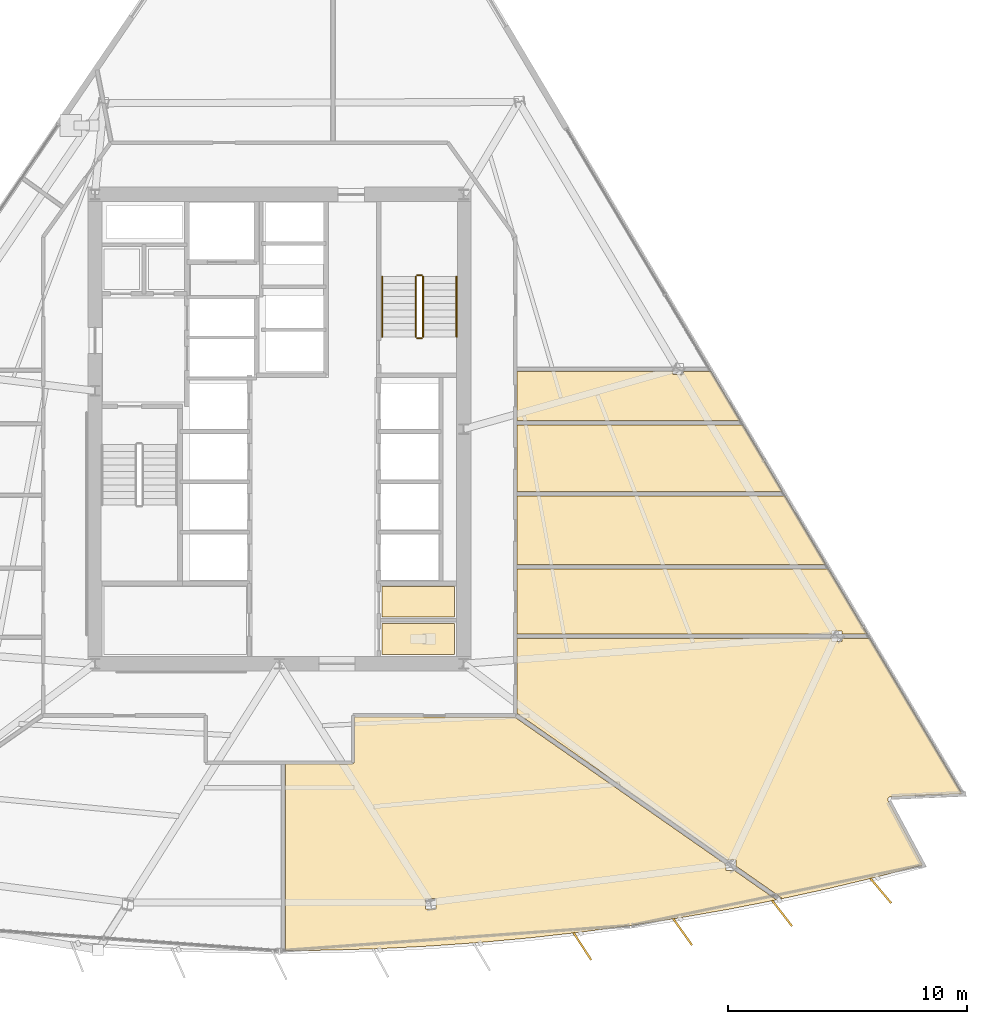
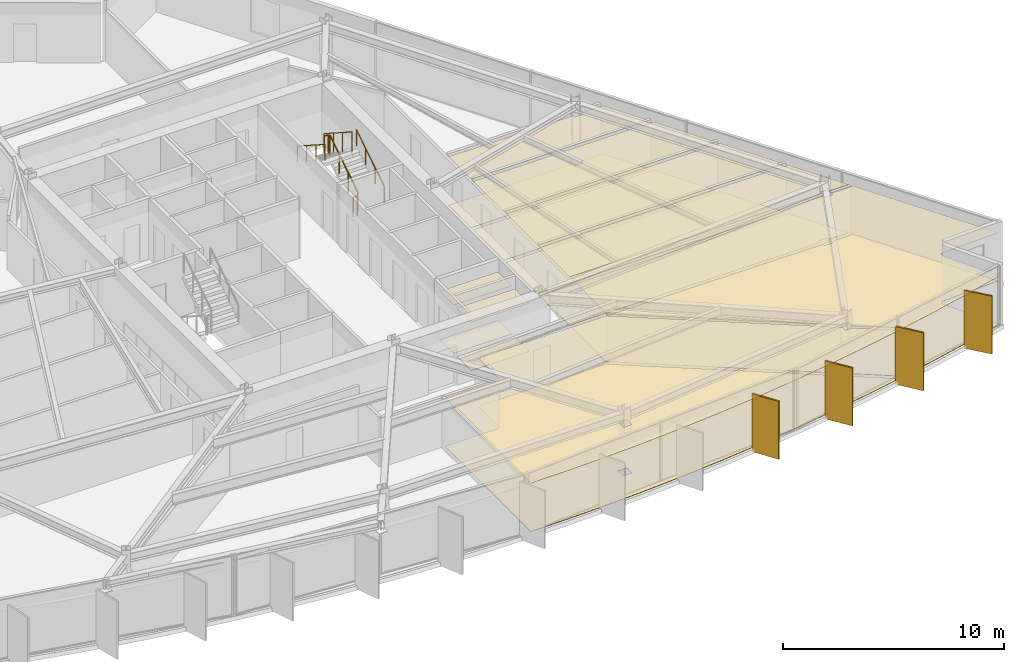
# One storey, part 13 of 15: 16 coverings, 6 railings, 4 shading devices.
"""IFC4 building model written with IfcOpenShell, lengths in metres."""

from ifc_helpers import new_model, si_unit, direction, frame, origin, origin_2d, place, context, subcontext, project, spatial, polyline, rectangle, circle, outline, extrude, material, layer, layer_set, type_object, element, save


model = new_model("IFC4")

# Units and contexts
model_context = context("Model", 3, precision=1e-05, world=origin(), true_north=direction((0.0, 1.0)))
body_context = subcontext(model_context, "Body", "Model", "MODEL_VIEW")
ifc_project = project(units=[si_unit("LENGTHUNIT", "METRE"), si_unit("AREAUNIT", "SQUARE_METRE"), si_unit("VOLUMEUNIT", "CUBIC_METRE"), si_unit("PLANEANGLEUNIT", "RADIAN"), si_unit("MASSUNIT", "GRAM", prefix="KILO")], contexts=[model_context])

# Site, building, storey
site_placement = place(None, origin())
site = spatial("IfcSite", under=ifc_project, at=site_placement, CompositionType="ELEMENT")
building_placement = place(site_placement, origin())
building = spatial("IfcBuilding", under=site, at=building_placement, Name="Savorim Split Tower", CompositionType="ELEMENT")
storey_placement = place(building_placement, frame((0.0, 0.0, 100.5)))
storey = spatial("IfcBuildingStorey", under=building, at=storey_placement, Name="L26", CompositionType="ELEMENT", Elevation=100.5)

# Coverings
ifc_material_1 = material(Name="Mineral Fibre Acoustic Ceiling")
ifc_layer_1 = layer(ifc_material_1, 0.02490234375)
ifc_layer_set_1 = layer_set([ifc_layer_1], Name="COV-CEIL-25")
covering_type_1 = type_object("IfcCoveringType", Name="COV-CEIL-25", PredefinedType="CEILING", material=ifc_layer_set_1)
covering_1_placement = place(storey_placement, frame((0.0, 0.0, 2.669921875)))
element("IfcCovering", 1, at=covering_1_placement, inside=storey, type_object=covering_type_1, Name="L26 Accessible WC Acoustic Ceiling", PredefinedType="CEILING", context=body_context, shape_type="SweptSolid", body=[
    extrude(outline(polyline([(4.280029296875, -7.719970703125), (4.280029296875, -9.02001953125), (7.320068359375, -9.02001953125), (7.320068359375, -7.719970703125), (4.280029296875, -7.719970703125)])), origin(), (0.0, 0.0, 1.0), 0.025146484375),
])
covering_2_placement = place(storey_placement, frame((0.0, 0.0, 2.669921875)))
element("IfcCovering", 2, at=covering_2_placement, inside=storey, type_object=covering_type_1, Name="L26 Cleaning Store Acoustic Ceiling", PredefinedType="CEILING", context=body_context, shape_type="SweptSolid", body=[
    extrude(outline(polyline([(4.280029296875, -6.179931640625), (4.280029296875, -7.43994140625), (7.320068359375, -7.43994140625), (7.320068359375, -6.179931640625), (4.280029296875, -6.179931640625)])), origin(), (0.0, 0.0, 1.0), 0.025146484375),
])
covering_3_placement = place(storey_placement, frame((0.0, 0.0, 2.669921875)))
element("IfcCovering", 3, at=covering_3_placement, inside=storey, type_object=covering_type_1, Name="L26 Co-Working Commons Acoustic Ceiling", PredefinedType="CEILING", context=body_context, shape_type="SweptSolid", body=[
    extrude(outline(polyline([(12.58056640625, -20.607421875), (14.6640625, -20.32861328125), (16.7412109375, -20.00732421875), (18.8115234375, -19.6435546875), (20.760498046875, -19.259765625), (19.014892578125, -18.041015625), (18.647705078125, -18.041015625), (18.647705078125, -17.784423828125), (9.841796875, -11.635498046875), (9.8134765625, -11.61572265625), (9.807373046875, -11.6171875), (9.793701171875, -11.619384765625), (9.780029296875, -11.6201171875), (3.139892578125, -11.6201171875), (3.139892578125, -13.449951171875), (3.139404296875, -13.463623046875), (3.13720703125, -13.477294921875), (3.134033203125, -13.490478515625), (3.12939453125, -13.503662109375), (3.12353515625, -13.51611328125), (3.116455078125, -13.52783203125), (3.108154296875, -13.538818359375), (3.09912109375, -13.549072265625), (3.0888671875, -13.55810546875), (3.077880859375, -13.56640625), (3.06591796875, -13.573486328125), (3.0537109375, -13.579345703125), (3.04052734375, -13.583984375), (3.02734375, -13.58740234375), (3.013671875, -13.58935546875), (3.0, -13.590087890625), (0.262451171875, -13.590087890625), (0.262451171875, -21.378173828125), (2.101806640625, -21.359375), (4.202880859375, -21.294921875), (6.302001953125, -21.187255859375), (8.398681640625, -21.036865234375), (10.49169921875, -20.843505859375), (12.58056640625, -20.607421875)]), holes=[polyline([(6.107177734375, -19.65087890625), (6.5361328125, -19.65087890625), (6.5361328125, -19.2060546875), (6.107177734375, -19.2060546875), (6.107177734375, -19.65087890625)])]), origin(), (0.0, 0.0, 1.0), 0.025146484375),
])
covering_4_placement = place(storey_placement, frame((0.0, 0.0, 2.669921875)))
element("IfcCovering", 4, at=covering_4_placement, inside=storey, type_object=covering_type_1, Name="L26 Co-Working Commons Acoustic Ceiling", PredefinedType="CEILING", context=body_context, shape_type="SweptSolid", body=[
    extrude(outline(polyline([(25.5009765625, -14.956298828125), (25.51220703125, -14.9541015625), (25.523681640625, -14.952880859375), (28.506591796875, -14.826171875), (24.63330078125, -8.31201171875), (24.63330078125, -8.34521484375), (23.501708984375, -8.34521484375), (23.501708984375, -8.47265625), (23.07275390625, -8.47265625), (23.07275390625, -8.34521484375), (9.919921875, -8.34521484375), (9.919921875, -11.45849609375), (18.70947265625, -17.595947265625), (19.07666015625, -17.595947265625), (19.07666015625, -17.852294921875), (20.887451171875, -19.11669921875), (20.96533203125, -19.171142578125), (20.927001953125, -19.225830078125), (22.927490234375, -18.789306640625), (24.9716796875, -18.29931640625), (26.85888671875, -17.8056640625), (25.423095703125, -15.129638671875), (25.418212890625, -15.119140625), (25.414306640625, -15.1083984375), (25.411376953125, -15.09716796875), (25.409423828125, -15.085693359375), (25.40869140625, -15.07421875), (25.4091796875, -15.062744140625), (25.410888671875, -15.05126953125), (25.413330078125, -15.0400390625), (25.4169921875, -15.029052734375), (25.421875, -15.0185546875), (25.427490234375, -15.008544921875), (25.43408203125, -14.9990234375), (25.441650390625, -14.990478515625), (25.449951171875, -14.982421875), (25.458984375, -14.97509765625), (25.46875, -14.968994140625), (25.47900390625, -14.963623046875), (25.48974609375, -14.95947265625), (25.5009765625, -14.956298828125)])), origin(), (0.0, 0.0, 1.0), 0.025146484375),
])
covering_5_placement = place(storey_placement, frame((0.0, 0.0, 2.669921875)))
element("IfcCovering", 5, at=covering_5_placement, inside=storey, type_object=covering_type_1, Name="L26 Co-Working Commons Acoustic Ceiling", PredefinedType="CEILING", context=body_context, shape_type="SweptSolid", body=[
    extrude(outline(polyline([(23.501708984375, -8.027587890625), (23.501708984375, -8.155029296875), (24.5380859375, -8.155029296875), (24.539794921875, -8.155029296875), (22.930419921875, -5.448486328125), (9.919921875, -5.448486328125), (9.919921875, -8.155029296875), (23.07275390625, -8.155029296875), (23.07275390625, -8.027587890625), (23.501708984375, -8.027587890625)])), origin(), (0.0, 0.0, 1.0), 0.025146484375),
])
covering_6_placement = place(storey_placement, frame((0.0, 0.0, 2.669921875)))
element("IfcCovering", 6, at=covering_6_placement, inside=storey, type_object=covering_type_1, Name="L26 Co-Working Commons Acoustic Ceiling", PredefinedType="CEILING", context=body_context, shape_type="SweptSolid", body=[
    extrude(outline(polyline([(22.8173828125, -5.258544921875), (21.118408203125, -2.401123046875), (9.919921875, -2.401123046875), (9.919921875, -5.258544921875), (22.8173828125, -5.258544921875)])), origin(), (0.0, 0.0, 1.0), 0.025146484375),
])
covering_7_placement = place(storey_placement, frame((0.0, 0.0, 2.669921875)))
element("IfcCovering", 7, at=covering_7_placement, inside=storey, type_object=covering_type_1, Name="L26 Co-Working Commons Acoustic Ceiling", PredefinedType="CEILING", context=body_context, shape_type="SweptSolid", body=[
    extrude(outline(polyline([(21.005615234375, -2.211181640625), (19.351318359375, 0.57080078125), (9.919921875, 0.57080078125), (9.919921875, -2.211181640625), (21.005615234375, -2.211181640625)])), origin(), (0.0, 0.0, 1.0), 0.025146484375),
])
covering_8_placement = place(storey_placement, frame((0.0, 0.0, 2.669921875)))
element("IfcCovering", 8, at=covering_8_placement, inside=storey, type_object=covering_type_1, Name="L26 Quiet Study Room Acoustic Ceiling", PredefinedType="CEILING", context=body_context, shape_type="SweptSolid", body=[
    extrude(outline(polyline([(16.438720703125, 2.683837890625), (16.438720703125, 2.811279296875), (9.919921875, 2.811279296875), (9.919921875, 0.7607421875), (19.23828125, 0.7607421875), (17.999267578125, 2.844482421875), (17.999267578125, 2.811279296875), (16.867919921875, 2.811279296875), (16.867919921875, 2.683837890625), (16.438720703125, 2.683837890625)])), origin(), (0.0, 0.0, 1.0), 0.025146484375),
])
ifc_material_2 = material(Name="Porcelain Stoneware Flooring", Category="masonry")
ifc_layer_2 = layer(ifc_material_2, 0.02001953125)
ifc_layer_set_2 = layer_set([ifc_layer_2], Name="COV-FLOR-20")
covering_type_2 = type_object("IfcCoveringType", Name="COV-FLOR-20", PredefinedType="FLOORING", material=ifc_layer_set_2)
covering_9_placement = place(storey_placement, origin())
element("IfcCovering", 9, at=covering_9_placement, inside=storey, type_object=covering_type_2, Name="L26 Accessible WC Porcelain Flooring", PredefinedType="FLOORING", context=body_context, shape_type="SweptSolid", body=[
    extrude(outline(polyline([(4.280029296875, -7.719970703125), (4.280029296875, -9.02001953125), (7.320068359375, -9.02001953125), (7.320068359375, -7.719970703125), (4.280029296875, -7.719970703125)])), origin(), (0.0, 0.0, 1.0), 0.02001953125),
])
covering_10_placement = place(storey_placement, origin())
element("IfcCovering", 10, at=covering_10_placement, inside=storey, type_object=covering_type_2, Name="L26 Cleaning Store Porcelain Flooring", PredefinedType="FLOORING", context=body_context, shape_type="SweptSolid", body=[
    extrude(outline(polyline([(4.280029296875, -6.179931640625), (4.280029296875, -7.43994140625), (7.320068359375, -7.43994140625), (7.320068359375, -6.179931640625), (4.280029296875, -6.179931640625)])), origin(), (0.0, 0.0, 1.0), 0.02001953125),
])
covering_11_placement = place(storey_placement, origin())
element("IfcCovering", 11, at=covering_11_placement, inside=storey, type_object=covering_type_2, Name="L26 Co-Working Commons Porcelain Flooring", PredefinedType="FLOORING", context=body_context, shape_type="SweptSolid", body=[
    extrude(outline(polyline([(12.58056640625, -20.607421875), (14.6640625, -20.32861328125), (16.7412109375, -20.00732421875), (18.8115234375, -19.6435546875), (20.760498046875, -19.259765625), (19.014892578125, -18.041015625), (18.647705078125, -18.041015625), (18.647705078125, -17.784423828125), (9.841796875, -11.635498046875), (9.8134765625, -11.61572265625), (9.807373046875, -11.6171875), (9.793701171875, -11.619384765625), (9.780029296875, -11.6201171875), (3.139892578125, -11.6201171875), (3.139892578125, -13.449951171875), (3.139404296875, -13.463623046875), (3.13720703125, -13.477294921875), (3.134033203125, -13.490478515625), (3.12939453125, -13.503662109375), (3.12353515625, -13.51611328125), (3.116455078125, -13.52783203125), (3.108154296875, -13.538818359375), (3.09912109375, -13.549072265625), (3.0888671875, -13.55810546875), (3.077880859375, -13.56640625), (3.06591796875, -13.573486328125), (3.0537109375, -13.579345703125), (3.04052734375, -13.583984375), (3.02734375, -13.58740234375), (3.013671875, -13.58935546875), (3.0, -13.590087890625), (0.262451171875, -13.590087890625), (0.262451171875, -21.378173828125), (2.101806640625, -21.359375), (4.202880859375, -21.294921875), (6.302001953125, -21.187255859375), (8.398681640625, -21.036865234375), (10.49169921875, -20.843505859375), (12.58056640625, -20.607421875)]), holes=[polyline([(6.107177734375, -19.65087890625), (6.5361328125, -19.65087890625), (6.5361328125, -19.2060546875), (6.107177734375, -19.2060546875), (6.107177734375, -19.65087890625)])]), origin(), (0.0, 0.0, 1.0), 0.02001953125),
])
covering_12_placement = place(storey_placement, origin())
element("IfcCovering", 12, at=covering_12_placement, inside=storey, type_object=covering_type_2, Name="L26 Co-Working Commons Porcelain Flooring", PredefinedType="FLOORING", context=body_context, shape_type="SweptSolid", body=[
    extrude(outline(polyline([(25.5009765625, -14.956298828125), (25.51220703125, -14.9541015625), (25.523681640625, -14.952880859375), (28.506591796875, -14.826171875), (24.63330078125, -8.31201171875), (24.63330078125, -8.34521484375), (23.501708984375, -8.34521484375), (23.501708984375, -8.47265625), (23.07275390625, -8.47265625), (23.07275390625, -8.34521484375), (9.919921875, -8.34521484375), (9.919921875, -11.45849609375), (18.70947265625, -17.595947265625), (19.07666015625, -17.595947265625), (19.07666015625, -17.852294921875), (20.887451171875, -19.11669921875), (20.96533203125, -19.171142578125), (20.927001953125, -19.225830078125), (22.927490234375, -18.789306640625), (24.9716796875, -18.29931640625), (26.85888671875, -17.8056640625), (25.423095703125, -15.129638671875), (25.418212890625, -15.119140625), (25.414306640625, -15.1083984375), (25.411376953125, -15.09716796875), (25.409423828125, -15.085693359375), (25.40869140625, -15.07421875), (25.4091796875, -15.062744140625), (25.410888671875, -15.05126953125), (25.413330078125, -15.0400390625), (25.4169921875, -15.029052734375), (25.421875, -15.0185546875), (25.427490234375, -15.008544921875), (25.43408203125, -14.9990234375), (25.441650390625, -14.990478515625), (25.449951171875, -14.982421875), (25.458984375, -14.97509765625), (25.46875, -14.968994140625), (25.47900390625, -14.963623046875), (25.48974609375, -14.95947265625), (25.5009765625, -14.956298828125)])), origin(), (0.0, 0.0, 1.0), 0.02001953125),
])
covering_13_placement = place(storey_placement, origin())
element("IfcCovering", 13, at=covering_13_placement, inside=storey, type_object=covering_type_2, Name="L26 Co-Working Commons Porcelain Flooring", PredefinedType="FLOORING", context=body_context, shape_type="SweptSolid", body=[
    extrude(outline(polyline([(23.501708984375, -8.027587890625), (23.501708984375, -8.155029296875), (24.5380859375, -8.155029296875), (24.539794921875, -8.155029296875), (22.930419921875, -5.448486328125), (9.919921875, -5.448486328125), (9.919921875, -8.155029296875), (23.07275390625, -8.155029296875), (23.07275390625, -8.027587890625), (23.501708984375, -8.027587890625)])), origin(), (0.0, 0.0, 1.0), 0.02001953125),
])
covering_14_placement = place(storey_placement, origin())
element("IfcCovering", 14, at=covering_14_placement, inside=storey, type_object=covering_type_2, Name="L26 Co-Working Commons Porcelain Flooring", PredefinedType="FLOORING", context=body_context, shape_type="SweptSolid", body=[
    extrude(outline(polyline([(22.8173828125, -5.258544921875), (21.118408203125, -2.401123046875), (9.919921875, -2.401123046875), (9.919921875, -5.258544921875), (22.8173828125, -5.258544921875)])), origin(), (0.0, 0.0, 1.0), 0.02001953125),
])
covering_15_placement = place(storey_placement, origin())
element("IfcCovering", 15, at=covering_15_placement, inside=storey, type_object=covering_type_2, Name="L26 Co-Working Commons Porcelain Flooring", PredefinedType="FLOORING", context=body_context, shape_type="SweptSolid", body=[
    extrude(outline(polyline([(21.005615234375, -2.211181640625), (19.351318359375, 0.57080078125), (9.919921875, 0.57080078125), (9.919921875, -2.211181640625), (21.005615234375, -2.211181640625)])), origin(), (0.0, 0.0, 1.0), 0.02001953125),
])
covering_16_placement = place(storey_placement, origin())
element("IfcCovering", 16, at=covering_16_placement, inside=storey, type_object=covering_type_2, Name="L26 Quiet Study Room Porcelain Flooring", PredefinedType="FLOORING", context=body_context, shape_type="SweptSolid", body=[
    extrude(outline(polyline([(16.438720703125, 2.683837890625), (16.438720703125, 2.811279296875), (9.919921875, 2.811279296875), (9.919921875, 0.7607421875), (19.23828125, 0.7607421875), (17.999267578125, 2.844482421875), (17.999267578125, 2.811279296875), (16.867919921875, 2.811279296875), (16.867919921875, 2.683837890625), (16.438720703125, 2.683837890625)])), origin(), (0.0, 0.0, 1.0), 0.02001953125),
])

# Railings
ifc_material_3 = material(Name="Galvanised Painted Steel Balustrade", Category="steel")
railing_type_1 = type_object("IfcRailingType", Name="RLG-HR-900", PredefinedType="HANDRAIL", material=ifc_material_3)
railing_1_placement = place(storey_placement, frame((7.39990234375, 4.25, 0.179931640625)))
element("IfcRailing", 17, at=railing_1_placement, inside=storey, type_object=railing_type_1, Name="L26 ST-2 stair handrail 1", PredefinedType="HANDRAIL", context=body_context, shape_type="SweptSolid", body=[
    extrude(circle(Radius=0.02392578125, at=origin_2d()), frame((0.0, 0.0, 0.8759765625), z_axis=(0.0, 0.841162588446, 0.540782303519), x_axis=(-1.0, 0.0, 0.0)), (0.0, 0.0, 1.0), 2.995849609375),
    extrude(circle(Radius=0.02099609375, at=origin_2d()), origin(), (0.0, 0.0, 1.0), 0.851806640625),
    extrude(circle(Radius=0.02099609375, at=origin_2d()), frame((0.0, 0.840087890625, 0.5400390625)), (0.0, 0.0, 1.0), 0.851806640625),
    extrude(circle(Radius=0.02099609375, at=origin_2d()), frame((0.0, 1.679931640625, 1.080078125)), (0.0, 0.0, 1.0), 0.851806640625),
    extrude(circle(Radius=0.02099609375, at=origin_2d()), frame((0.0, 2.52001953125, 1.6201171875)), (0.0, 0.0, 1.0), 0.851806640625),
])
railing_2_placement = place(storey_placement, frame((4.300048828125, 6.77001953125, 1.97998046875)))
element("IfcRailing", 18, at=railing_2_placement, inside=storey, type_object=railing_type_1, Name="L26 ST-2 stair handrail 2", PredefinedType="HANDRAIL", context=body_context, shape_type="SweptSolid", body=[
    extrude(circle(Radius=0.02392578125, at=origin_2d()), frame((0.0, 0.0, 0.8759765625), z_axis=(0.0, -0.841162588446, 0.540782303519), x_axis=(1.0, 0.0, 0.0)), (0.0, 0.0, 1.0), 2.995849609375),
    extrude(circle(Radius=0.02099609375, at=origin_2d()), origin(), (0.0, 0.0, 1.0), 0.851806640625),
    extrude(circle(Radius=0.02099609375, at=origin_2d()), frame((0.0, -0.840087890625, 0.5400390625)), (0.0, 0.0, 1.0), 0.851806640625),
    extrude(circle(Radius=0.02099609375, at=origin_2d()), frame((0.0, -1.679931640625, 1.080078125)), (0.0, 0.0, 1.0), 0.851806640625),
    extrude(circle(Radius=0.02099609375, at=origin_2d()), frame((0.0, -2.52001953125, 1.6201171875)), (0.0, 0.0, 1.0), 0.851806640625),
])
railing_type_2 = type_object("IfcRailingType", Name="RLG-STG-1100", PredefinedType="BALUSTRADE", material=ifc_material_3)
railing_3_placement = place(storey_placement, frame((6.0, 4.25, 0.179931640625)))
element("IfcRailing", 19, at=railing_3_placement, inside=storey, type_object=railing_type_2, Name="L26 ST-2 stair guard 1", PredefinedType="BALUSTRADE", context=body_context, shape_type="SweptSolid", body=[
    extrude(circle(Radius=0.02392578125, at=origin_2d()), frame((0.0, 0.0, 1.076171875), z_axis=(0.0, 0.841162588446, 0.540782303519), x_axis=(-1.0, 0.0, 0.0)), (0.0, 0.0, 1.0), 2.995849609375),
    extrude(circle(Radius=0.02099609375, at=origin_2d()), origin(), (0.0, 0.0, 1.0), 1.052001953125),
    extrude(circle(Radius=0.02099609375, at=origin_2d()), frame((0.0, 0.840087890625, 0.5400390625)), (0.0, 0.0, 1.0), 1.052001953125),
    extrude(circle(Radius=0.02099609375, at=origin_2d()), frame((0.0, 1.679931640625, 1.080078125)), (0.0, 0.0, 1.0), 1.052001953125),
    extrude(circle(Radius=0.02099609375, at=origin_2d()), frame((0.0, 2.52001953125, 1.6201171875)), (0.0, 0.0, 1.0), 1.052001953125),
])
railing_4_placement = place(storey_placement, frame((5.949951171875, 6.820068359375, 1.800048828125)))
element("IfcRailing", 20, at=railing_4_placement, inside=storey, type_object=railing_type_2, Name="L26 ST-2 stair guard 2", PredefinedType="BALUSTRADE", context=body_context, shape_type="SweptSolid", body=[
    extrude(circle(Radius=0.02392578125, at=origin_2d()), frame((0.0, 0.0, 1.076171875), z_axis=(-1.0, 0.0, 0.0), x_axis=(0.0, -1.0, 0.0)), (0.0, 0.0, 1.0), 0.199951171875),
    extrude(circle(Radius=0.02099609375, at=origin_2d()), origin(), (0.0, 0.0, 1.0), 1.052001953125),
    extrude(circle(Radius=0.02099609375, at=origin_2d()), frame((-0.199951171875, 0.0, 0.0)), (0.0, 0.0, 1.0), 1.052001953125),
])
railing_5_placement = place(storey_placement, frame((5.699951171875, 6.77001953125, 1.97998046875)))
element("IfcRailing", 21, at=railing_5_placement, inside=storey, type_object=railing_type_2, Name="L26 ST-2 stair guard 3", PredefinedType="BALUSTRADE", context=body_context, shape_type="SweptSolid", body=[
    extrude(circle(Radius=0.02392578125, at=origin_2d()), frame((0.0, 0.0, 1.076171875), z_axis=(0.0, -0.841162588446, 0.540782303519), x_axis=(1.0, 0.0, 0.0)), (0.0, 0.0, 1.0), 2.995849609375),
    extrude(circle(Radius=0.02099609375, at=origin_2d()), origin(), (0.0, 0.0, 1.0), 1.052001953125),
    extrude(circle(Radius=0.02099609375, at=origin_2d()), frame((0.0, -0.840087890625, 0.5400390625)), (0.0, 0.0, 1.0), 1.052001953125),
    extrude(circle(Radius=0.02099609375, at=origin_2d()), frame((0.0, -1.679931640625, 1.080078125)), (0.0, 0.0, 1.0), 1.052001953125),
    extrude(circle(Radius=0.02099609375, at=origin_2d()), frame((0.0, -2.52001953125, 1.6201171875)), (0.0, 0.0, 1.0), 1.052001953125),
])
railing_6_placement = place(storey_placement, frame((5.949951171875, 4.199951171875, 0.0)))
element("IfcRailing", 22, at=railing_6_placement, inside=storey, type_object=railing_type_2, Name="L26 ST-2 stair guard 4", PredefinedType="BALUSTRADE", context=body_context, shape_type="SweptSolid", body=[
    extrude(circle(Radius=0.02392578125, at=origin_2d()), frame((0.0, 0.0, 1.076171875), z_axis=(-1.0, 0.0, 0.0), x_axis=(0.0, -1.0, 0.0)), (0.0, 0.0, 1.0), 0.199951171875),
    extrude(circle(Radius=0.02099609375, at=origin_2d()), origin(), (0.0, 0.0, 1.0), 1.052001953125),
    extrude(circle(Radius=0.02099609375, at=origin_2d()), frame((-0.199951171875, 0.0, 0.0)), (0.0, 0.0, 1.0), 1.052001953125),
])

# Shading devices
ifc_material_4 = material(Name="Terracotta Ceramic-Coated Aluminium Fin", Category="masonry")
shading_device_type = type_object("IfcShadingDeviceType", Name="SHD-FIN-1360", PredefinedType="USERDEFINED", material=ifc_material_4)
for number, where, z_axis, x_axis, name in (
    (23, (12.653564453125, -21.198974609375, -0.2001953125), (0.0, 0.0, 1.0), (0.545148321708, -0.838339613366, 0.0), "L26 Sawtooth Shading Fin 10"),
    (24, (16.83837890625, -20.595458984375, -0.2001953125), (0.0, 0.0, 1.0), (0.578993757737, -0.815331974414, 0.0), "L26 Sawtooth Shading Fin 11"),
    (25, (20.9951171875, -19.821044921875, -0.2001953125), (0.0, 0.0, 1.0), (0.611868076908, -0.790959832394, 0.0), "L26 Sawtooth Shading Fin 12"),
    (26, (25.116455078125, -18.87744140625, -0.2001953125), (0.0, 0.0, 1.0), (0.643719022682, -0.765261928909, 0.0), "L26 Sawtooth Shading Fin 13"),
):
    element("IfcShadingDevice", number, at=place(storey_placement, frame(where, z_axis=z_axis, x_axis=x_axis)), inside=storey, type_object=shading_device_type, Name=name, ObjectType="FIN", PredefinedType="USERDEFINED", context=body_context, shape_type="SweptSolid", body=[
        extrude(rectangle(XDim=1.360107421875, YDim=0.080078125, at=origin_2d()), origin(), (0.0, 0.0, 1.0), 3.199951171875),
    ])

save(model, "model.ifc")
